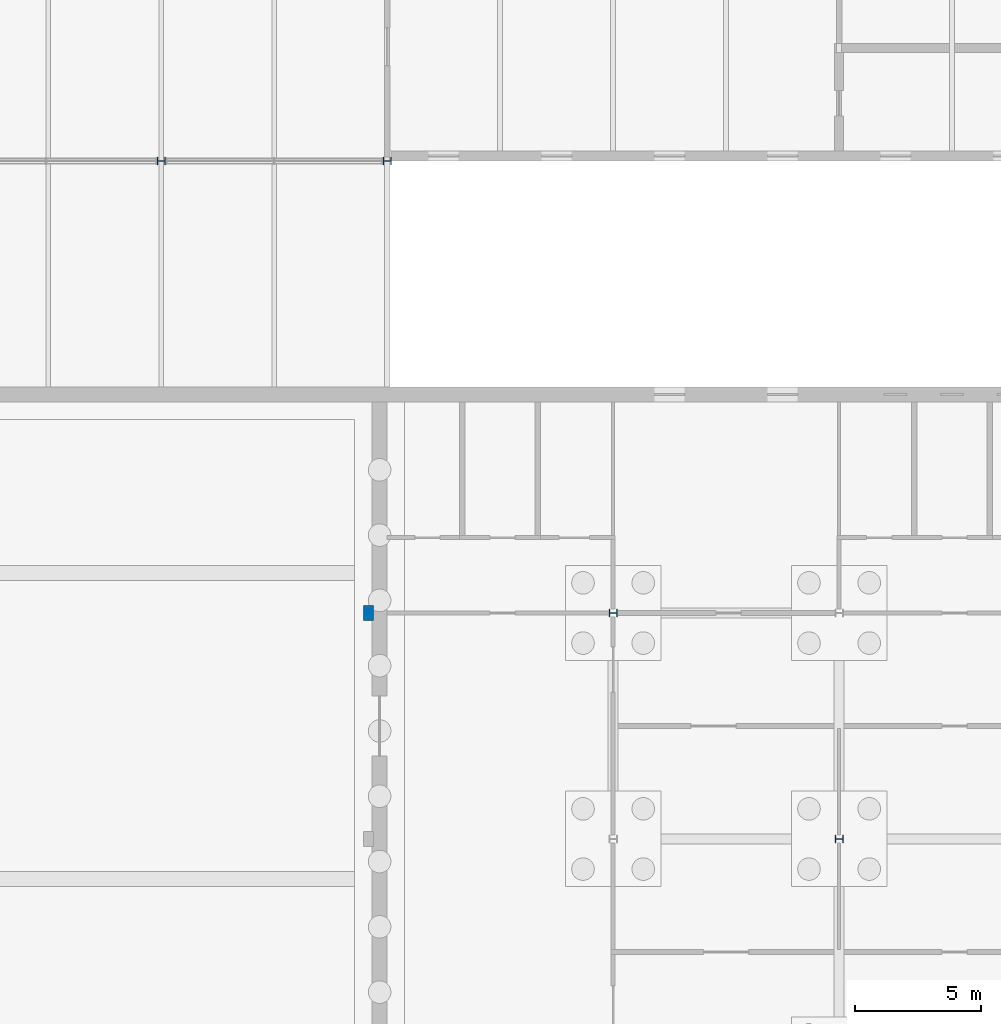
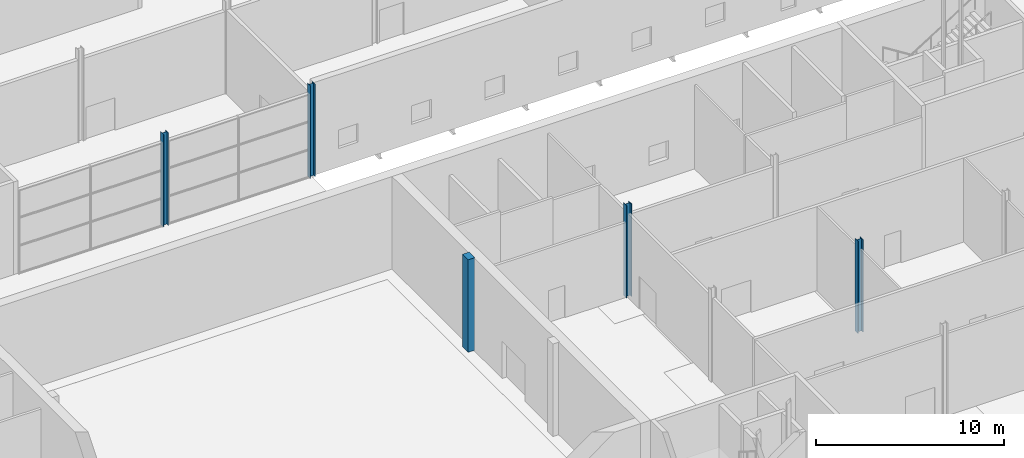
# One storey, part 28 of 97: 5 columns.
"""IFC4 building model written with IfcOpenShell, lengths in metres."""

from ifc_helpers import new_model, si_unit, direction, frame, origin, origin_2d, place, context, subcontext, project, spatial, rectangle, i_section, extrude, material, material_profile, profile_set, type_object, element, save


model = new_model("IFC4")

# Units and contexts
model_context = context("Model", 3, precision=1e-05, world=origin(), true_north=direction((0.0, 1.0)))
body_context = subcontext(model_context, "Body", "Model", "MODEL_VIEW")
ifc_project = project(units=[si_unit("LENGTHUNIT", "METRE"), si_unit("AREAUNIT", "SQUARE_METRE"), si_unit("VOLUMEUNIT", "CUBIC_METRE"), si_unit("PLANEANGLEUNIT", "RADIAN"), si_unit("MASSUNIT", "GRAM", prefix="KILO")], contexts=[model_context])

# Site, building, storey
site_placement = place(None, origin())
site = spatial("IfcSite", under=ifc_project, at=site_placement, CompositionType="ELEMENT")
building_placement = place(site_placement, origin())
building = spatial("IfcBuilding", under=site, at=building_placement, Name="Corbel Yard City Hall", CompositionType="ELEMENT")
storey_placement = place(building_placement, origin())
storey = spatial("IfcBuildingStorey", under=building, at=storey_placement, Name="L00", CompositionType="ELEMENT", Elevation=0.0)

# Columns
ifc_material_1 = material(Name="Concrete N50 (50 MPa)", Category="concrete")
ifc_material_profile_1 = material_profile(ifc_material_1, rectangle(XDim=0.60009765625, YDim=0.39990234375, at=origin_2d()), Name="600x400")
ifc_profile_set_1 = profile_set([ifc_material_profile_1], Name="Concrete N50 (50 MPa)")
column_type_1 = type_object("IfcColumnType", Name="Chamber pilaster RC 600X400", PredefinedType="PILASTER", material=ifc_profile_set_1)
column_placement = place(storey_placement, frame((143.25, 72.0, 0.0), z_axis=(0.0, 0.0, 1.0), x_axis=(0.0, 1.0, 0.0)))
element("IfcColumn", 1, at=column_placement, inside=storey, type_object=column_type_1, Name="Chamber pilaster RC 600X400 RC1 L00", PredefinedType="PILASTER", context=body_context, shape_type="SweptSolid", body=[
    extrude(rectangle(XDim=0.60009765625, YDim=0.39990234375, at=origin_2d()), origin(), (0.0, 0.0, 1.0), 6.0),
])
ifc_material_2 = material(Name="Steel Grade 300 (300 MPa yield)", Category="steel")
ifc_material_profile_2 = material_profile(ifc_material_2, i_section(OverallWidth=0.306884765625, OverallDepth=0.31494140625, WebThickness=0.011962890625, FlangeThickness=0.018798828125, at=origin_2d()), Name="310UC118")
ifc_profile_set_2 = profile_set([ifc_material_profile_2], Name="Steel Grade 300 (300 MPa yield)")
column_type_2 = type_object("IfcColumnType", Name="Column 310UC118", PredefinedType="COLUMN", material=ifc_profile_set_2)
for number, where, z_axis, x_axis, name in (
    (2, (135.0, 90.0, 0.0), (0.0, 0.0, 1.0), (0.0, 1.0, 0.0), "Column 310UC118 K/16 L00"),
    (3, (144.0, 90.0, 0.0), (0.0, 0.0, 1.0), (0.0, 1.0, 0.0), "Column 310UC118 K/17 L00"),
):
    element("IfcColumn", number, at=place(storey_placement, frame(where, z_axis=z_axis, x_axis=x_axis)), inside=storey, type_object=column_type_2, Name=name, PredefinedType="COLUMN", context=body_context, shape_type="SweptSolid", body=[
        extrude(i_section(OverallWidth=0.306884765625, OverallDepth=0.31494140625, WebThickness=0.011962890625, FlangeThickness=0.018798828125, at=origin_2d()), origin(), (0.0, 0.0, 1.0), 6.0),
    ])
ifc_material_profile_3 = material_profile(ifc_material_2, i_section(OverallWidth=0.31103515625, OverallDepth=0.326904296875, WebThickness=0.015625, FlangeThickness=0.02490234375, at=origin_2d()), Name="310UC158")
ifc_profile_set_3 = profile_set([ifc_material_profile_3], Name="Steel Grade 300 (300 MPa yield)")
column_type_3 = type_object("IfcColumnType", Name="Column 310UC158", PredefinedType="COLUMN", material=ifc_profile_set_3)
for number, where, z_axis, x_axis, name in (
    (4, (153.0, 72.0, 0.0), (0.0, 0.0, 1.0), (0.0, 1.0, 0.0), "Column 310UC158 I/18 L00"),
    (5, (162.0, 63.0, 0.0), (0.0, 0.0, 1.0), (0.0, 1.0, 0.0), "Column 310UC158 H/19 L00"),
):
    element("IfcColumn", number, at=place(storey_placement, frame(where, z_axis=z_axis, x_axis=x_axis)), inside=storey, type_object=column_type_3, Name=name, PredefinedType="COLUMN", context=body_context, shape_type="SweptSolid", body=[
        extrude(i_section(OverallWidth=0.31103515625, OverallDepth=0.326904296875, WebThickness=0.015625, FlangeThickness=0.02490234375, at=origin_2d()), origin(), (0.0, 0.0, 1.0), 6.0),
    ])

save(model, "model.ifc")
